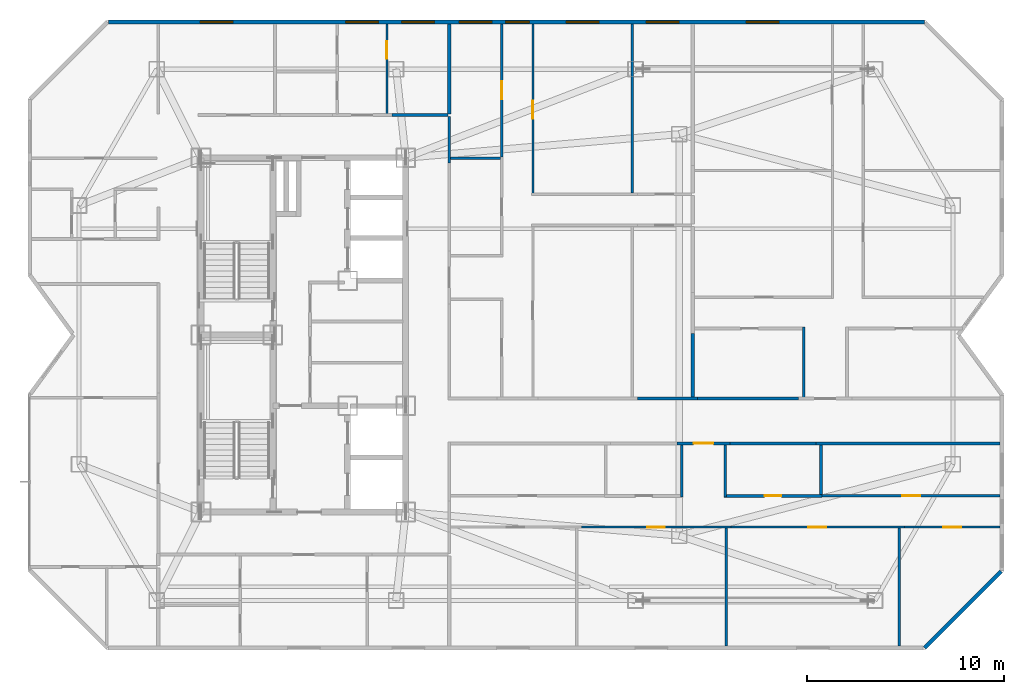
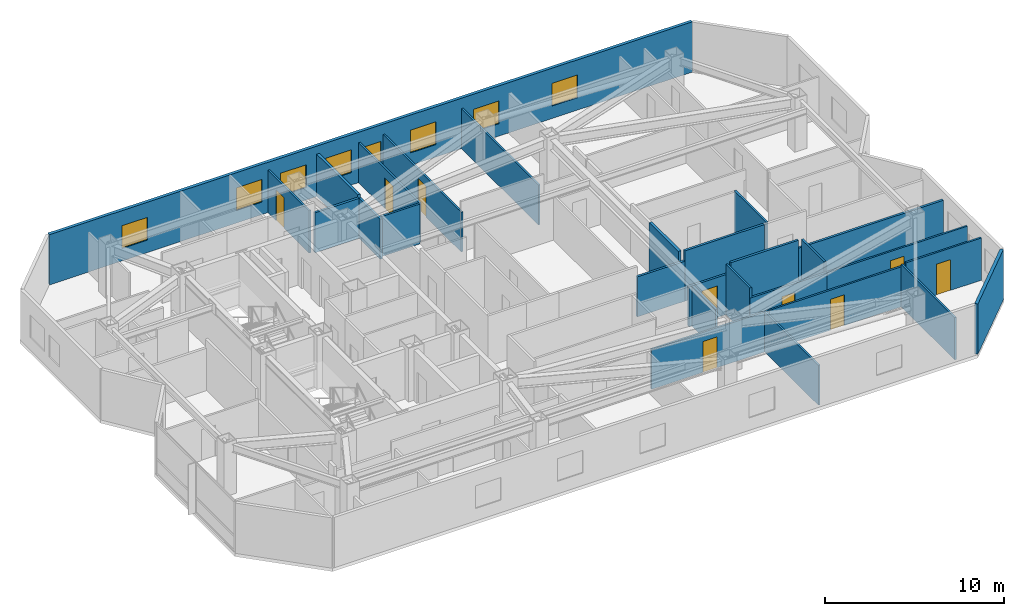
# One storey, part 11 of 14: 27 walls, 9 doors, 8 windows, 17 openings.
"""IFC4 building model written with IfcOpenShell, lengths in metres."""

from ifc_helpers import new_model, si_unit, direction, frame, frame_2d, origin, place, context, subcontext, project, spatial, rectangle, extrude, material, layer, layer_set, type_object, element, fill, save


model = new_model("IFC4")

# Units and contexts
model_context = context("Model", 3, precision=1e-05, world=origin(), true_north=direction((0.0, 1.0)))
body_context = subcontext(model_context, "Body", "Model", "MODEL_VIEW")
ifc_project = project(units=[si_unit("LENGTHUNIT", "METRE"), si_unit("AREAUNIT", "SQUARE_METRE"), si_unit("VOLUMEUNIT", "CUBIC_METRE"), si_unit("PLANEANGLEUNIT", "RADIAN"), si_unit("MASSUNIT", "GRAM", prefix="KILO")], contexts=[model_context])

# Site, building, storey
site_placement = place(None, origin())
site = spatial("IfcSite", under=ifc_project, at=site_placement, CompositionType="ELEMENT")
building_placement = place(site_placement, origin())
building = spatial("IfcBuilding", under=site, at=building_placement, Name="Khamvora Tower", CompositionType="ELEMENT")
storey_placement = place(building_placement, frame((0.0, 0.0, 253.699951171875)))
storey = spatial("IfcBuildingStorey", under=building, at=storey_placement, Name="L65", CompositionType="ELEMENT", Elevation=253.699951171875)

# Walls
ifc_material_1 = material(Name="Fire-Rated Drywall and Steel Stud", Category="steel")
ifc_layer_1 = layer(ifc_material_1, 0.14990234375)
ifc_layer_set_1 = layer_set([ifc_layer_1], Name="Fire-Rated Drywall and Steel Stud")
wall_type_1 = type_object("IfcWallType", Name="WAL-CORR-150", PredefinedType="STANDARD", material=ifc_layer_set_1)
wall_1_placement = place(storey_placement, frame((38.698974609375, 39.1650390625, 0.0), z_axis=(0.0, 0.0, 1.0), x_axis=(1.0, 0.0, 0.0)))
element("IfcWall", 1, at=wall_1_placement, inside=storey, type_object=wall_type_1, Name="L65 interior partition wall 019", PredefinedType="STANDARD", context=body_context, shape_type="SweptSolid", body=[
    extrude(rectangle(XDim=2.85107421875, YDim=0.14990234375, at=frame_2d((1.425537109375, 0.0))), origin(), (0.0, 0.0, 1.0), 2.72509765625),
])
wall_2_placement = place(storey_placement, frame((69.60791015625, 22.485107421875, 0.0), z_axis=(0.0, 0.0, 1.0), x_axis=(-1.0, 0.0, 0.0)))
element("IfcWall", 2, at=wall_2_placement, inside=storey, type_object=wall_type_1, Name="L65 interior partition wall 022", PredefinedType="STANDARD", context=body_context, shape_type="SweptSolid", body=[
    extrude(rectangle(XDim=9.35693359375, YDim=0.14990234375, at=frame_2d((4.678466796875, 0.0))), origin(), (0.0, 0.0, 1.0), 2.886962890625),
])

# Wall, opening, door
wall_3_placement = place(storey_placement, frame((55.884033203125, 22.485107421875, 0.0), z_axis=(0.0, 0.0, 1.0), x_axis=(-1.0, 0.0, 0.0)))
wall_3 = element("IfcWall", 3, at=wall_3_placement, inside=storey, type_object=wall_type_1, Name="L65 interior partition wall 023", PredefinedType="STANDARD", context=body_context, shape_type="SweptSolid", body=[
    extrude(rectangle(XDim=2.697998046875, YDim=0.14990234375, at=frame_2d((1.34912109375, 0.0))), origin(), (0.0, 0.0, 1.0), 2.72509765625),
])
opening_1_placement = place(wall_3_placement, frame((0.84912109375, 0.0, 0.0)))
opening_1 = element("IfcOpeningElement", 4, at=opening_1_placement, cuts=wall_3, Name="Opening D-U1", PredefinedType="OPENING", context=body_context, shape_type="SweptSolid", body=[
    extrude(rectangle(XDim=1.0, YDim=2.14990234375, at=frame_2d((0.5, 1.074951171875))), frame((0.0, 0.0849609375, 0.0), z_axis=(0.0, -1.0, 0.0), x_axis=(1.0, 0.0, 0.0)), (0.0, 0.0, 1.0), 0.169921875),
])
ifc_material_2 = material(Name="Powder-Coated Steel and Hardwood Leaf", Category="steel")
door_type_1 = type_object("IfcDoorType", Name="DOR-UNIT-1000", OperationType="NOTDEFINED", PredefinedType="DOOR", material=ifc_material_2)
door_1_placement = place(opening_1_placement, origin())
door_1 = element("IfcDoor", 5, at=door_1_placement, inside=storey, type_object=door_type_1, Name="L65 interior door COR-65EAH", OperationType="SINGLE_SWING_RIGHT", OverallHeight=2.14990234375, OverallWidth=1.0, PredefinedType="DOOR", context=body_context, shape_type="SweptSolid", body=[
    extrude(rectangle(XDim=1.0, YDim=2.14990234375, at=frame_2d((0.5, 1.074951171875))), frame((0.0, 0.02490234375, 0.0), z_axis=(0.0, -1.0, 0.0), x_axis=(1.0, 0.0, 0.0)), (0.0, 0.0, 1.0), 0.050048828125),
])
fill(opening_1, door_1)

# Walls
wall_4_placement = place(storey_placement, frame((60.2509765625, 22.485107421875, 0.0), z_axis=(0.0, 0.0, 1.0), x_axis=(-1.0, 0.0, 0.0)))
element("IfcWall", 6, at=wall_4_placement, inside=storey, type_object=wall_type_1, Name="L65 interior partition wall 026", PredefinedType="STANDARD", context=body_context, shape_type="SweptSolid", body=[
    extrude(rectangle(XDim=4.366943359375, YDim=0.14990234375, at=frame_2d((2.18359375, 0.0))), origin(), (0.0, 0.0, 1.0), 3.429931640625),
])
wall_5_placement = place(storey_placement, frame((41.614990234375, 39.10009765625, 0.0), z_axis=(0.0, 0.0, 1.0), x_axis=(0.0, -1.0, 0.0)))
element("IfcWall", 7, at=wall_5_placement, inside=storey, type_object=wall_type_1, Name="L65 interior partition wall 028", PredefinedType="STANDARD", context=body_context, shape_type="SweptSolid", body=[
    extrude(rectangle(XDim=2.3681640625, YDim=0.14990234375, at=frame_2d((1.18408203125, 0.0))), origin(), (0.0, 0.0, 1.0), 2.72509765625),
])
wall_6_placement = place(storey_placement, frame((51.1669921875, 24.764892578125, 0.0), z_axis=(0.0, 0.0, 1.0), x_axis=(1.0, 0.0, 0.0)))
element("IfcWall", 8, at=wall_6_placement, inside=storey, type_object=wall_type_1, Name="L65 interior partition wall 035", PredefinedType="STANDARD", context=body_context, shape_type="SweptSolid", body=[
    extrude(rectangle(XDim=3.06689453125, YDim=0.14990234375, at=frame_2d((1.533447265625, 0.0))), origin(), (0.0, 0.0, 1.0), 2.72509765625),
])
wall_7_placement = place(storey_placement, frame((54.23388671875, 24.764892578125, 0.0), z_axis=(0.0, 0.0, 1.0), x_axis=(1.0, 0.0, 0.0)))
element("IfcWall", 9, at=wall_7_placement, inside=storey, type_object=wall_type_1, Name="L65 interior partition wall 037", PredefinedType="STANDARD", context=body_context, shape_type="SweptSolid", body=[
    extrude(rectangle(XDim=5.13720703125, YDim=0.14990234375, at=frame_2d((2.568603515625, 0.0))), origin(), (0.0, 0.0, 1.0), 3.429931640625),
])
ifc_material_3 = material(Name="Acoustic Double-Stud Fire Wall", Category="gypsum")
ifc_layer_2 = layer(ifc_material_3, 0.179931640625)
ifc_layer_set_2 = layer_set([ifc_layer_2], Name="Acoustic Double-Stud Fire Wall")
wall_type_2 = type_object("IfcWallType", Name="WAL-CORR-180", PredefinedType="STANDARD", material=ifc_layer_set_2)
wall_8_placement = place(storey_placement, frame((41.614990234375, 43.80810546875, 0.0), z_axis=(0.0, 0.0, 1.0), x_axis=(0.0, -1.0, 0.0)))
element("IfcWall", 10, at=wall_8_placement, inside=storey, type_object=wall_type_2, Name="L65 interior partition wall 063", PredefinedType="STANDARD", context=body_context, shape_type="SweptSolid", body=[
    extrude(rectangle(XDim=4.578125, YDim=0.179931640625, at=frame_2d((2.2890625, 0.0))), origin(), (0.0, 0.0, 1.0), 2.886962890625),
])
wall_9_placement = place(storey_placement, frame((53.985107421875, 28.076904296875, 0.0), z_axis=(0.0, 0.0, 1.0), x_axis=(0.0, -1.0, 0.0)))
element("IfcWall", 11, at=wall_9_placement, inside=storey, type_object=wall_type_2, Name="L65 interior partition wall 094", PredefinedType="STANDARD", context=body_context, shape_type="SweptSolid", body=[
    extrude(rectangle(XDim=3.244873046875, YDim=0.179931640625, at=frame_2d((1.62255859375, 0.0))), origin(), (0.0, 0.0, 1.0), 3.429931640625),
])

# Wall, openings, windows
ifc_material_4 = material(Name="Precast concrete C40/50", Category="concrete")
ifc_layer_3 = layer(ifc_material_4, 0.199951171875)
ifc_layer_set_3 = layer_set([ifc_layer_3], Name="Precast concrete C40/50")
wall_type_3 = type_object("IfcWallType", Name="WAL-EXT-200", PredefinedType="STANDARD", material=ifc_layer_set_3)
wall_10_placement = place(storey_placement, frame((24.302001953125, 43.89990234375, 0.0), z_axis=(0.0, 0.0, 1.0), x_axis=(1.0, 0.0, 0.0)))
wall_10 = element("IfcWall", 12, at=wall_10_placement, inside=storey, type_object=wall_type_3, Name="L65 exterior facade wall 07.1", PredefinedType="STANDARD", context=body_context, shape_type="SweptSolid", body=[
    extrude(rectangle(XDim=41.45703125, YDim=0.199951171875, at=frame_2d((20.728515625, 0.0))), origin(), (0.0, 0.0, 1.0), 3.429931640625),
])
opening_2_placement = place(wall_10_placement, frame((4.673095703125, 0.0, 0.85009765625)))
opening_2 = element("IfcOpeningElement", 13, at=opening_2_placement, cuts=wall_10, Name="Opening WN-06", PredefinedType="OPENING", context=body_context, shape_type="SweptSolid", body=[
    extrude(rectangle(XDim=1.64990234375, YDim=1.550048828125, at=frame_2d((0.824951171875, 0.77490234375))), frame((0.0, 0.10986328125, 0.0), z_axis=(0.0, -1.0, 0.0), x_axis=(1.0, 0.0, 0.0)), (0.0, 0.0, 1.0), 0.219970703125),
])
opening_3_placement = place(wall_10_placement, frame((12.06298828125, 0.0, 0.85009765625)))
opening_3 = element("IfcOpeningElement", 14, at=opening_3_placement, cuts=wall_10, Name="Opening WN-06", PredefinedType="OPENING", context=body_context, shape_type="SweptSolid", body=[
    extrude(rectangle(XDim=1.64990234375, YDim=1.550048828125, at=frame_2d((0.824951171875, 0.77490234375))), frame((0.0, 0.10986328125, 0.0), z_axis=(0.0, -1.0, 0.0), x_axis=(1.0, 0.0, 0.0)), (0.0, 0.0, 1.0), 0.219970703125),
])
opening_4_placement = place(wall_10_placement, frame((14.905029296875, 0.0, 0.85009765625)))
opening_4 = element("IfcOpeningElement", 15, at=opening_4_placement, cuts=wall_10, Name="Opening WN-06", PredefinedType="OPENING", context=body_context, shape_type="SweptSolid", body=[
    extrude(rectangle(XDim=1.64990234375, YDim=1.550048828125, at=frame_2d((0.824951171875, 0.77490234375))), frame((0.0, 0.10986328125, 0.0), z_axis=(0.0, -1.0, 0.0), x_axis=(1.0, 0.0, 0.0)), (0.0, 0.0, 1.0), 0.219970703125),
])
opening_5_placement = place(wall_10_placement, frame((17.824951171875, 0.0, 0.85009765625)))
opening_5 = element("IfcOpeningElement", 16, at=opening_5_placement, cuts=wall_10, Name="Opening WN-06", PredefinedType="OPENING", context=body_context, shape_type="SweptSolid", body=[
    extrude(rectangle(XDim=1.64990234375, YDim=1.550048828125, at=frame_2d((0.824951171875, 0.77490234375))), frame((0.0, 0.10986328125, 0.0), z_axis=(0.0, -1.0, 0.0), x_axis=(1.0, 0.0, 0.0)), (0.0, 0.0, 1.0), 0.219970703125),
])
opening_6_placement = place(wall_10_placement, frame((20.176025390625, 0.0, 0.800048828125)))
opening_6 = element("IfcOpeningElement", 17, at=opening_6_placement, cuts=wall_10, Name="Opening WN-03", PredefinedType="OPENING", context=body_context, shape_type="SweptSolid", body=[
    extrude(rectangle(XDim=1.199951171875, YDim=1.5, at=frame_2d((0.60009765625, 0.75))), frame((0.0, 0.10986328125, 0.0), z_axis=(0.0, -1.0, 0.0), x_axis=(1.0, 0.0, 0.0)), (0.0, 0.0, 1.0), 0.219970703125),
])
opening_7_placement = place(wall_10_placement, frame((23.26611328125, 0.0, 0.85009765625)))
opening_7 = element("IfcOpeningElement", 18, at=opening_7_placement, cuts=wall_10, Name="Opening WN-06", PredefinedType="OPENING", context=body_context, shape_type="SweptSolid", body=[
    extrude(rectangle(XDim=1.64990234375, YDim=1.550048828125, at=frame_2d((0.824951171875, 0.77490234375))), frame((0.0, 0.10986328125, 0.0), z_axis=(0.0, -1.0, 0.0), x_axis=(1.0, 0.0, 0.0)), (0.0, 0.0, 1.0), 0.219970703125),
])
opening_8_placement = place(wall_10_placement, frame((27.323974609375, 0.0, 0.85009765625)))
opening_8 = element("IfcOpeningElement", 19, at=opening_8_placement, cuts=wall_10, Name="Opening WN-06", PredefinedType="OPENING", context=body_context, shape_type="SweptSolid", body=[
    extrude(rectangle(XDim=1.64990234375, YDim=1.550048828125, at=frame_2d((0.824951171875, 0.77490234375))), frame((0.0, 0.10986328125, 0.0), z_axis=(0.0, -1.0, 0.0), x_axis=(1.0, 0.0, 0.0)), (0.0, 0.0, 1.0), 0.219970703125),
])
opening_9_placement = place(wall_10_placement, frame((32.407958984375, 0.0, 0.85009765625)))
opening_9 = element("IfcOpeningElement", 20, at=opening_9_placement, cuts=wall_10, Name="Opening WN-06", PredefinedType="OPENING", context=body_context, shape_type="SweptSolid", body=[
    extrude(rectangle(XDim=1.64990234375, YDim=1.550048828125, at=frame_2d((0.824951171875, 0.77490234375))), frame((0.0, 0.10986328125, 0.0), z_axis=(0.0, -1.0, 0.0), x_axis=(1.0, 0.0, 0.0)), (0.0, 0.0, 1.0), 0.219970703125),
])
ifc_material_5 = material(Name="Low-E Laminated Double Glazing", Category="glass")
window_type_1 = type_object("IfcWindowType", Name="WIN-VIS-1200x1500", PartitioningType="SINGLE_PANEL", PredefinedType="WINDOW", material=ifc_material_5)
window_1_placement = place(opening_6_placement, origin())
window_1 = element("IfcWindow", 21, at=window_1_placement, inside=storey, type_object=window_type_1, Name="L65 vision window 07.1.05", OverallHeight=1.5, OverallWidth=1.199951171875, PartitioningType="SINGLE_PANEL", PredefinedType="WINDOW", context=body_context, shape_type="SweptSolid", body=[
    extrude(rectangle(XDim=1.199951171875, YDim=1.5, at=frame_2d((0.60009765625, 0.75))), frame((0.0, 0.030029296875, 0.0), z_axis=(0.0, -1.0, 0.0), x_axis=(1.0, 0.0, 0.0)), (0.0, 0.0, 1.0), 0.06005859375),
])
fill(opening_6, window_1)
window_type_2 = type_object("IfcWindowType", Name="WIN-VIS-1650x1550", PartitioningType="SINGLE_PANEL", PredefinedType="WINDOW", material=ifc_material_5)
window_2_placement = place(opening_2_placement, origin())
window_2 = element("IfcWindow", 22, at=window_2_placement, inside=storey, type_object=window_type_2, Name="L65 vision window 07.1.01", OverallHeight=1.550048828125, OverallWidth=1.64990234375, PartitioningType="SINGLE_PANEL", PredefinedType="WINDOW", context=body_context, shape_type="SweptSolid", body=[
    extrude(rectangle(XDim=1.64990234375, YDim=1.550048828125, at=frame_2d((0.824951171875, 0.77490234375))), frame((0.0, 0.030029296875, 0.0), z_axis=(0.0, -1.0, 0.0), x_axis=(1.0, 0.0, 0.0)), (0.0, 0.0, 1.0), 0.06005859375),
])
fill(opening_2, window_2)
window_3_placement = place(opening_3_placement, origin())
window_3 = element("IfcWindow", 23, at=window_3_placement, inside=storey, type_object=window_type_2, Name="L65 vision window 07.1.02", OverallHeight=1.550048828125, OverallWidth=1.64990234375, PartitioningType="SINGLE_PANEL", PredefinedType="WINDOW", context=body_context, shape_type="SweptSolid", body=[
    extrude(rectangle(XDim=1.64990234375, YDim=1.550048828125, at=frame_2d((0.824951171875, 0.77490234375))), frame((0.0, 0.030029296875, 0.0), z_axis=(0.0, -1.0, 0.0), x_axis=(1.0, 0.0, 0.0)), (0.0, 0.0, 1.0), 0.06005859375),
])
fill(opening_3, window_3)
window_4_placement = place(opening_4_placement, origin())
window_4 = element("IfcWindow", 24, at=window_4_placement, inside=storey, type_object=window_type_2, Name="L65 vision window 07.1.03", OverallHeight=1.550048828125, OverallWidth=1.64990234375, PartitioningType="SINGLE_PANEL", PredefinedType="WINDOW", context=body_context, shape_type="SweptSolid", body=[
    extrude(rectangle(XDim=1.64990234375, YDim=1.550048828125, at=frame_2d((0.824951171875, 0.77490234375))), frame((0.0, 0.030029296875, 0.0), z_axis=(0.0, -1.0, 0.0), x_axis=(1.0, 0.0, 0.0)), (0.0, 0.0, 1.0), 0.06005859375),
])
fill(opening_4, window_4)
window_5_placement = place(opening_5_placement, origin())
window_5 = element("IfcWindow", 25, at=window_5_placement, inside=storey, type_object=window_type_2, Name="L65 vision window 07.1.04", OverallHeight=1.550048828125, OverallWidth=1.64990234375, PartitioningType="SINGLE_PANEL", PredefinedType="WINDOW", context=body_context, shape_type="SweptSolid", body=[
    extrude(rectangle(XDim=1.64990234375, YDim=1.550048828125, at=frame_2d((0.824951171875, 0.77490234375))), frame((0.0, 0.030029296875, 0.0), z_axis=(0.0, -1.0, 0.0), x_axis=(1.0, 0.0, 0.0)), (0.0, 0.0, 1.0), 0.06005859375),
])
fill(opening_5, window_5)
window_6_placement = place(opening_7_placement, origin())
window_6 = element("IfcWindow", 26, at=window_6_placement, inside=storey, type_object=window_type_2, Name="L65 vision window 07.1.06", OverallHeight=1.550048828125, OverallWidth=1.64990234375, PartitioningType="SINGLE_PANEL", PredefinedType="WINDOW", context=body_context, shape_type="SweptSolid", body=[
    extrude(rectangle(XDim=1.64990234375, YDim=1.550048828125, at=frame_2d((0.824951171875, 0.77490234375))), frame((0.0, 0.030029296875, 0.0), z_axis=(0.0, -1.0, 0.0), x_axis=(1.0, 0.0, 0.0)), (0.0, 0.0, 1.0), 0.06005859375),
])
fill(opening_7, window_6)
window_7_placement = place(opening_8_placement, origin())
window_7 = element("IfcWindow", 27, at=window_7_placement, inside=storey, type_object=window_type_2, Name="L65 vision window 07.1.07", OverallHeight=1.550048828125, OverallWidth=1.64990234375, PartitioningType="SINGLE_PANEL", PredefinedType="WINDOW", context=body_context, shape_type="SweptSolid", body=[
    extrude(rectangle(XDim=1.64990234375, YDim=1.550048828125, at=frame_2d((0.824951171875, 0.77490234375))), frame((0.0, 0.030029296875, 0.0), z_axis=(0.0, -1.0, 0.0), x_axis=(1.0, 0.0, 0.0)), (0.0, 0.0, 1.0), 0.06005859375),
])
fill(opening_8, window_7)
window_8_placement = place(opening_9_placement, origin())
window_8 = element("IfcWindow", 28, at=window_8_placement, inside=storey, type_object=window_type_2, Name="L65 vision window 07.1.08", OverallHeight=1.550048828125, OverallWidth=1.64990234375, PartitioningType="SINGLE_PANEL", PredefinedType="WINDOW", context=body_context, shape_type="SweptSolid", body=[
    extrude(rectangle(XDim=1.64990234375, YDim=1.550048828125, at=frame_2d((0.824951171875, 0.77490234375))), frame((0.0, 0.030029296875, 0.0), z_axis=(0.0, -1.0, 0.0), x_axis=(1.0, 0.0, 0.0)), (0.0, 0.0, 1.0), 0.06005859375),
])
fill(opening_9, window_8)

# Wall
wall_11_placement = place(storey_placement, frame((69.655029296875, 15.99609375, 0.0), z_axis=(0.0, 0.0, 1.0), x_axis=(-0.707106781187, -0.707106781187, 0.0)))
element("IfcWall", 29, at=wall_11_placement, inside=storey, type_object=wall_type_3, Name="L65 exterior facade wall 13.1", PredefinedType="STANDARD", context=body_context, shape_type="SweptSolid", body=[
    extrude(rectangle(XDim=5.509765625, YDim=0.199951171875, at=frame_2d((2.7548828125, 0.0))), origin(), (0.0, 0.0, 1.0), 3.429931640625),
])

# Wall, opening, door
ifc_material_6 = material(Name="Gypsum Plasterboard Partition", Category="gypsum")
ifc_layer_4 = layer(ifc_material_6, 0.1201171875)
ifc_layer_set_4 = layer_set([ifc_layer_4], Name="Gypsum Plasterboard Partition")
wall_type_4 = type_object("IfcWallType", Name="WAL-PART-120", PredefinedType="PARTITIONING", material=ifc_layer_set_4)
wall_12_placement = place(storey_placement, frame((38.449951171875, 43.80810546875, 0.0), z_axis=(0.0, 0.0, 1.0), x_axis=(0.0, -1.0, 0.0)))
wall_12 = element("IfcWall", 30, at=wall_12_placement, inside=storey, type_object=wall_type_4, Name="L65 interior partition wall 061", PredefinedType="PARTITIONING", context=body_context, shape_type="SweptSolid", body=[
    extrude(rectangle(XDim=4.576171875, YDim=0.1201171875, at=frame_2d((2.2880859375, 0.0))), origin(), (0.0, 0.0, 1.0), 2.886962890625),
])
opening_10_placement = place(wall_12_placement, frame((0.884033203125, 0.0, 0.0)))
opening_10 = element("IfcOpeningElement", 31, at=opening_10_placement, cuts=wall_12, Name="Opening D-RM1", PredefinedType="OPENING", context=body_context, shape_type="SweptSolid", body=[
    extrude(rectangle(XDim=0.89990234375, YDim=2.10009765625, at=frame_2d((0.449951171875, 1.050048828125))), frame((0.0, 0.070068359375, 0.0), z_axis=(0.0, -1.0, 0.0), x_axis=(1.0, 0.0, 0.0)), (0.0, 0.0, 1.0), 0.14013671875),
])
door_type_2 = type_object("IfcDoorType", Name="DOR-ROOM-900", OperationType="NOTDEFINED", PredefinedType="DOOR", material=ifc_material_2)
door_2_placement = place(opening_10_placement, origin())
door_2 = element("IfcDoor", 32, at=door_2_placement, inside=storey, type_object=door_type_2, Name="L65 interior door 65NAH-65NAR1", OperationType="SINGLE_SWING_LEFT", OverallHeight=2.10009765625, OverallWidth=0.89990234375, PredefinedType="DOOR", context=body_context, shape_type="SweptSolid", body=[
    extrude(rectangle(XDim=0.89990234375, YDim=2.10009765625, at=frame_2d((0.449951171875, 1.050048828125))), frame((0.0, 0.02490234375, 0.0), z_axis=(0.0, -1.0, 0.0), x_axis=(1.0, 0.0, 0.0)), (0.0, 0.0, 1.0), 0.050048828125),
])
fill(opening_10, door_2)

wall_13_placement = place(storey_placement, frame((69.60791015625, 19.819091796875, 0.0), z_axis=(0.0, 0.0, 1.0), x_axis=(-1.0, 0.0, 0.0)))
wall_13 = element("IfcWall", 33, at=wall_13_placement, inside=storey, type_object=wall_type_4, Name="L65 interior partition wall 066", PredefinedType="PARTITIONING", context=body_context, shape_type="SweptSolid", body=[
    extrude(rectangle(XDim=9.04296875, YDim=0.1201171875, at=frame_2d((4.521484375, 0.0))), origin(), (0.0, 0.0, 1.0), 2.72509765625),
])
opening_11_placement = place(wall_13_placement, frame((4.071044921875, 0.0, 0.0)))
opening_11 = element("IfcOpeningElement", 34, at=opening_11_placement, cuts=wall_13, Name="Opening D-RM1", PredefinedType="OPENING", context=body_context, shape_type="SweptSolid", body=[
    extrude(rectangle(XDim=0.89990234375, YDim=2.10009765625, at=frame_2d((0.449951171875, 1.050048828125))), frame((0.0, 0.070068359375, 0.0), z_axis=(0.0, -1.0, 0.0), x_axis=(1.0, 0.0, 0.0)), (0.0, 0.0, 1.0), 0.14013671875),
])
door_3_placement = place(opening_11_placement, origin())
door_3 = element("IfcDoor", 35, at=door_3_placement, inside=storey, type_object=door_type_2, Name="L65 interior door 65EAW2-65EAH", OperationType="SINGLE_SWING_LEFT", OverallHeight=2.10009765625, OverallWidth=0.89990234375, PredefinedType="DOOR", context=body_context, shape_type="SweptSolid", body=[
    extrude(rectangle(XDim=0.89990234375, YDim=2.10009765625, at=frame_2d((0.449951171875, 1.050048828125))), frame((0.0, 0.02490234375, 0.0), z_axis=(0.0, -1.0, 0.0), x_axis=(1.0, 0.0, 0.0)), (0.0, 0.0, 1.0), 0.050048828125),
])
fill(opening_11, door_3)

wall_14_placement = place(storey_placement, frame((55.93408203125, 18.239013671875, 0.0), z_axis=(0.0, 0.0, 1.0), x_axis=(-1.0, 0.0, 0.0)))
wall_14 = element("IfcWall", 36, at=wall_14_placement, inside=storey, type_object=wall_type_4, Name="L65 interior partition wall 073", PredefinedType="PARTITIONING", context=body_context, shape_type="SweptSolid", body=[
    extrude(rectangle(XDim=7.60107421875, YDim=0.1201171875, at=frame_2d((3.800537109375, 0.0))), origin(), (0.0, 0.0, 1.0), 2.72509765625),
])
opening_12_placement = place(wall_14_placement, frame((3.37109375, 0.0, 0.0)))
opening_12 = element("IfcOpeningElement", 37, at=opening_12_placement, cuts=wall_14, Name="Opening D-RM1", PredefinedType="OPENING", context=body_context, shape_type="SweptSolid", body=[
    extrude(rectangle(XDim=0.89990234375, YDim=2.10009765625, at=frame_2d((0.449951171875, 1.050048828125))), frame((0.0, 0.070068359375, 0.0), z_axis=(0.0, -1.0, 0.0), x_axis=(1.0, 0.0, 0.0)), (0.0, 0.0, 1.0), 0.14013671875),
])
door_4_placement = place(opening_12_placement, origin())
door_4 = element("IfcDoor", 38, at=door_4_placement, inside=storey, type_object=door_type_2, Name="L65 interior door 65EAH-65EAR2", OperationType="SINGLE_SWING_RIGHT", OverallHeight=2.10009765625, OverallWidth=0.89990234375, PredefinedType="DOOR", context=body_context, shape_type="SweptSolid", body=[
    extrude(rectangle(XDim=0.89990234375, YDim=2.10009765625, at=frame_2d((0.449951171875, 1.050048828125))), frame((0.0, 0.02490234375, 0.0), z_axis=(0.0, -1.0, 0.0), x_axis=(1.0, 0.0, 0.0)), (0.0, 0.0, 1.0), 0.050048828125),
])
fill(opening_12, door_4)

wall_15_placement = place(storey_placement, frame((64.73291015625, 18.239013671875, 0.0), z_axis=(0.0, 0.0, 1.0), x_axis=(-1.0, 0.0, 0.0)))
wall_15 = element("IfcWall", 39, at=wall_15_placement, inside=storey, type_object=wall_type_4, Name="L65 interior partition wall 074", PredefinedType="PARTITIONING", context=body_context, shape_type="SweptSolid", body=[
    extrude(rectangle(XDim=8.798828125, YDim=0.1201171875, at=frame_2d((4.3994140625, 0.0))), origin(), (0.0, 0.0, 1.0), 2.72509765625),
])
opening_13_placement = place(wall_15_placement, frame((3.969970703125, 0.0, 0.0)))
opening_13 = element("IfcOpeningElement", 40, at=opening_13_placement, cuts=wall_15, Name="Opening D-RM1", PredefinedType="OPENING", context=body_context, shape_type="SweptSolid", body=[
    extrude(rectangle(XDim=0.89990234375, YDim=2.10009765625, at=frame_2d((0.449951171875, 1.050048828125))), frame((0.0, 0.070068359375, 0.0), z_axis=(0.0, -1.0, 0.0), x_axis=(1.0, 0.0, 0.0)), (0.0, 0.0, 1.0), 0.14013671875),
])
door_5_placement = place(opening_13_placement, origin())
door_5 = element("IfcDoor", 41, at=door_5_placement, inside=storey, type_object=door_type_2, Name="L65 interior door 65EAH-65EAR3", OperationType="SINGLE_SWING_RIGHT", OverallHeight=2.10009765625, OverallWidth=0.89990234375, PredefinedType="DOOR", context=body_context, shape_type="SweptSolid", body=[
    extrude(rectangle(XDim=0.89990234375, YDim=2.10009765625, at=frame_2d((0.449951171875, 1.050048828125))), frame((0.0, 0.02490234375, 0.0), z_axis=(0.0, -1.0, 0.0), x_axis=(1.0, 0.0, 0.0)), (0.0, 0.0, 1.0), 0.050048828125),
])
fill(opening_13, door_5)

wall_16_placement = place(storey_placement, frame((69.60791015625, 18.239013671875, 0.0), z_axis=(0.0, 0.0, 1.0), x_axis=(-1.0, 0.0, 0.0)))
wall_16 = element("IfcWall", 42, at=wall_16_placement, inside=storey, type_object=wall_type_4, Name="L65 interior partition wall 075", PredefinedType="PARTITIONING", context=body_context, shape_type="SweptSolid", body=[
    extrude(rectangle(XDim=4.875, YDim=0.1201171875, at=frame_2d((2.4375, 0.0))), origin(), (0.0, 0.0, 1.0), 2.886962890625),
])
opening_14_placement = place(wall_16_placement, frame((1.988037109375, 0.0, 0.0)))
opening_14 = element("IfcOpeningElement", 43, at=opening_14_placement, cuts=wall_16, Name="Opening D-RM1", PredefinedType="OPENING", context=body_context, shape_type="SweptSolid", body=[
    extrude(rectangle(XDim=0.89990234375, YDim=2.10009765625, at=frame_2d((0.449951171875, 1.050048828125))), frame((0.0, 0.070068359375, 0.0), z_axis=(0.0, -1.0, 0.0), x_axis=(1.0, 0.0, 0.0)), (0.0, 0.0, 1.0), 0.14013671875),
])
door_6_placement = place(opening_14_placement, origin())
door_6 = element("IfcDoor", 44, at=door_6_placement, inside=storey, type_object=door_type_2, Name="L65 interior door 65EAH-65EAR4", OperationType="SINGLE_SWING_LEFT", OverallHeight=2.10009765625, OverallWidth=0.89990234375, PredefinedType="DOOR", context=body_context, shape_type="SweptSolid", body=[
    extrude(rectangle(XDim=0.89990234375, YDim=2.10009765625, at=frame_2d((0.449951171875, 1.050048828125))), frame((0.0, 0.02490234375, 0.0), z_axis=(0.0, -1.0, 0.0), x_axis=(1.0, 0.0, 0.0)), (0.0, 0.0, 1.0), 0.050048828125),
])
fill(opening_14, door_6)

# Walls
wall_17_placement = place(storey_placement, frame((55.68505859375, 18.18505859375, 0.0), z_axis=(0.0, 0.0, 1.0), x_axis=(0.0, -1.0, 0.0)))
element("IfcWall", 45, at=wall_17_placement, inside=storey, type_object=wall_type_4, Name="L65 interior partition wall 077", PredefinedType="PARTITIONING", context=body_context, shape_type="SweptSolid", body=[
    extrude(rectangle(XDim=5.9931640625, YDim=0.1201171875, at=frame_2d((2.99658203125, 0.0))), origin(), (0.0, 0.0, 1.0), 2.72509765625),
])
wall_18_placement = place(storey_placement, frame((64.48388671875, 18.18505859375, 0.0), z_axis=(0.0, 0.0, 1.0), x_axis=(0.0, -1.0, 0.0)))
element("IfcWall", 46, at=wall_18_placement, inside=storey, type_object=wall_type_4, Name="L65 interior partition wall 078", PredefinedType="PARTITIONING", context=body_context, shape_type="SweptSolid", body=[
    extrude(rectangle(XDim=5.9931640625, YDim=0.1201171875, at=frame_2d((2.99658203125, 0.0))), origin(), (0.0, 0.0, 1.0), 2.886962890625),
])

# Wall, opening, door
wall_19_placement = place(storey_placement, frame((44.2880859375, 43.80810546875, 0.0), z_axis=(0.0, 0.0, 1.0), x_axis=(0.0, -1.0, 0.0)))
wall_19 = element("IfcWall", 47, at=wall_19_placement, inside=storey, type_object=wall_type_4, Name="L65 interior partition wall 079", PredefinedType="PARTITIONING", context=body_context, shape_type="SweptSolid", body=[
    extrude(rectangle(XDim=6.76220703125, YDim=0.1201171875, at=frame_2d((3.381103515625, 0.0))), origin(), (0.0, 0.0, 1.0), 2.72509765625),
])
opening_15_placement = place(wall_19_placement, frame((2.930908203125, 0.0, 0.0)))
opening_15 = element("IfcOpeningElement", 48, at=opening_15_placement, cuts=wall_19, Name="Opening D-RM1", PredefinedType="OPENING", context=body_context, shape_type="SweptSolid", body=[
    extrude(rectangle(XDim=0.89990234375, YDim=2.10009765625, at=frame_2d((0.449951171875, 1.050048828125))), frame((0.0, 0.070068359375, 0.0), z_axis=(0.0, -1.0, 0.0), x_axis=(1.0, 0.0, 0.0)), (0.0, 0.0, 1.0), 0.14013671875),
])
door_7_placement = place(opening_15_placement, origin())
door_7 = element("IfcDoor", 49, at=door_7_placement, inside=storey, type_object=door_type_2, Name="L65 interior door 65EBW2-65EBH", OperationType="SINGLE_SWING_RIGHT", OverallHeight=2.10009765625, OverallWidth=0.89990234375, PredefinedType="DOOR", context=body_context, shape_type="SweptSolid", body=[
    extrude(rectangle(XDim=0.89990234375, YDim=2.10009765625, at=frame_2d((0.449951171875, 1.050048828125))), frame((0.0, 0.02490234375, 0.0), z_axis=(0.0, -1.0, 0.0), x_axis=(1.0, 0.0, 0.0)), (0.0, 0.0, 1.0), 0.050048828125),
])
fill(opening_15, door_7)

wall_20_placement = place(storey_placement, frame((45.867919921875, 43.80810546875, 0.0), z_axis=(0.0, 0.0, 1.0), x_axis=(0.0, -1.0, 0.0)))
wall_20 = element("IfcWall", 50, at=wall_20_placement, inside=storey, type_object=wall_type_4, Name="L65 interior partition wall 088", PredefinedType="PARTITIONING", context=body_context, shape_type="SweptSolid", body=[
    extrude(rectangle(XDim=8.72802734375, YDim=0.1201171875, at=frame_2d((4.364013671875, 0.0))), origin(), (0.0, 0.0, 1.0), 2.72509765625),
])
opening_16_placement = place(wall_20_placement, frame((3.9140625, 0.0, 0.0)))
opening_16 = element("IfcOpeningElement", 51, at=opening_16_placement, cuts=wall_20, Name="Opening D-RM1", PredefinedType="OPENING", context=body_context, shape_type="SweptSolid", body=[
    extrude(rectangle(XDim=0.89990234375, YDim=2.10009765625, at=frame_2d((0.449951171875, 1.050048828125))), frame((0.0, 0.070068359375, 0.0), z_axis=(0.0, -1.0, 0.0), x_axis=(1.0, 0.0, 0.0)), (0.0, 0.0, 1.0), 0.14013671875),
])
door_8_placement = place(opening_16_placement, origin())
door_8 = element("IfcDoor", 52, at=door_8_placement, inside=storey, type_object=door_type_2, Name="L65 interior door 65EBH-65EBR3", OperationType="SINGLE_SWING_LEFT", OverallHeight=2.10009765625, OverallWidth=0.89990234375, PredefinedType="DOOR", context=body_context, shape_type="SweptSolid", body=[
    extrude(rectangle(XDim=0.89990234375, YDim=2.10009765625, at=frame_2d((0.449951171875, 1.050048828125))), frame((0.0, 0.02490234375, 0.0), z_axis=(0.0, -1.0, 0.0), x_axis=(1.0, 0.0, 0.0)), (0.0, 0.0, 1.0), 0.050048828125),
])
fill(opening_16, door_8)

# Walls
wall_21_placement = place(storey_placement, frame((50.9169921875, 43.80810546875, 0.0), z_axis=(0.0, 0.0, 1.0), x_axis=(0.0, -1.0, 0.0)))
element("IfcWall", 53, at=wall_21_placement, inside=storey, type_object=wall_type_4, Name="L65 interior partition wall 096", PredefinedType="PARTITIONING", context=body_context, shape_type="SweptSolid", body=[
    extrude(rectangle(XDim=8.609130859375, YDim=0.1201171875, at=frame_2d((4.3046875, 0.0))), origin(), (0.0, 0.0, 1.0), 2.72509765625),
])
ifc_material_7 = material(Name="Moisture-Resistant Plasterboard Partition", Category="gypsum")
ifc_layer_5 = layer(ifc_material_7, 0.135009765625)
ifc_layer_set_5 = layer_set([ifc_layer_5], Name="Moisture-Resistant Plasterboard Partition")
wall_type_5 = type_object("IfcWallType", Name="WAL-WET-135", PredefinedType="PARTITIONING", material=ifc_layer_set_5)
wall_22_placement = place(storey_placement, frame((60.5, 19.884033203125, 0.0), z_axis=(0.0, 0.0, 1.0), x_axis=(0.0, 1.0, 0.0)))
element("IfcWall", 54, at=wall_22_placement, inside=storey, type_object=wall_type_5, Name="L65 interior partition wall 067", PredefinedType="PARTITIONING", context=body_context, shape_type="SweptSolid", body=[
    extrude(rectangle(XDim=2.533935546875, YDim=0.135009765625, at=frame_2d((1.26708984375, 0.0))), origin(), (0.0, 0.0, 1.0), 3.429931640625),
])
wall_23_placement = place(storey_placement, frame((53.43505859375, 19.75390625, 0.0), z_axis=(0.0, 0.0, 1.0), x_axis=(0.0, 1.0, 0.0)))
element("IfcWall", 55, at=wall_23_placement, inside=storey, type_object=wall_type_5, Name="L65 interior partition wall 069", PredefinedType="PARTITIONING", context=body_context, shape_type="SweptSolid", body=[
    extrude(rectangle(XDim=2.6640625, YDim=0.135009765625, at=frame_2d((1.33203125, 0.0))), origin(), (0.0, 0.0, 1.0), 2.72509765625),
])
wall_24_placement = place(storey_placement, frame((55.635009765625, 22.41796875, 0.0), z_axis=(0.0, 0.0, 1.0), x_axis=(0.0, -1.0, 0.0)))
element("IfcWall", 56, at=wall_24_placement, inside=storey, type_object=wall_type_5, Name="L65 interior partition wall 070", PredefinedType="PARTITIONING", context=body_context, shape_type="SweptSolid", body=[
    extrude(rectangle(XDim=2.6640625, YDim=0.135009765625, at=frame_2d((1.33203125, 0.0))), origin(), (0.0, 0.0, 1.0), 3.429931640625),
])

# Wall, opening, door
wall_25_placement = place(storey_placement, frame((55.570068359375, 19.819091796875, 0.0), z_axis=(0.0, 0.0, 1.0), x_axis=(1.0, 0.0, 0.0)))
wall_25 = element("IfcWall", 57, at=wall_25_placement, inside=storey, type_object=wall_type_5, Name="L65 interior partition wall 071", PredefinedType="PARTITIONING", context=body_context, shape_type="SweptSolid", body=[
    extrude(rectangle(XDim=4.994873046875, YDim=0.135009765625, at=frame_2d((2.49755859375, 0.0))), origin(), (0.0, 0.0, 1.0), 2.72509765625),
])
opening_17_placement = place(wall_25_placement, frame((2.072998046875, 0.0, 0.0)))
opening_17 = element("IfcOpeningElement", 58, at=opening_17_placement, cuts=wall_25, Name="Opening D-RM2", PredefinedType="OPENING", context=body_context, shape_type="SweptSolid", body=[
    extrude(rectangle(XDim=0.85009765625, YDim=2.10009765625, at=frame_2d((0.425048828125, 1.050048828125))), frame((0.0, 0.077392578125, 0.0), z_axis=(0.0, -1.0, 0.0), x_axis=(1.0, 0.0, 0.0)), (0.0, 0.0, 1.0), 0.155029296875),
])
door_type_3 = type_object("IfcDoorType", Name="DOR-ROOM-850", OperationType="NOTDEFINED", PredefinedType="DOOR", material=ifc_material_2)
door_9_placement = place(opening_17_placement, origin())
door_9 = element("IfcDoor", 59, at=door_9_placement, inside=storey, type_object=door_type_3, Name="L65 interior door 65EAH-65EAK", OperationType="SINGLE_SWING_LEFT", OverallHeight=2.10009765625, OverallWidth=0.85009765625, PredefinedType="DOOR", context=body_context, shape_type="SweptSolid", body=[
    extrude(rectangle(XDim=0.85009765625, YDim=2.10009765625, at=frame_2d((0.425048828125, 1.050048828125))), frame((0.0, 0.02490234375, 0.0), z_axis=(0.0, -1.0, 0.0), x_axis=(1.0, 0.0, 0.0)), (0.0, 0.0, 1.0), 0.050048828125),
])
fill(opening_17, door_9)

# Walls
wall_26_placement = place(storey_placement, frame((44.222900390625, 36.98095703125, 0.0), z_axis=(0.0, 0.0, 1.0), x_axis=(-1.0, 0.0, 0.0)))
element("IfcWall", 60, at=wall_26_placement, inside=storey, type_object=wall_type_5, Name="L65 interior partition wall 080", PredefinedType="PARTITIONING", context=body_context, shape_type="SweptSolid", body=[
    extrude(rectangle(XDim=2.541015625, YDim=0.135009765625, at=frame_2d((1.2705078125, 0.0))), origin(), (0.0, 0.0, 1.0), 2.72509765625),
])
wall_27_placement = place(storey_placement, frame((59.6201171875, 24.83203125, 0.0), z_axis=(0.0, 0.0, 1.0), x_axis=(0.0, 1.0, 0.0)))
element("IfcWall", 61, at=wall_27_placement, inside=storey, type_object=wall_type_5, Name="L65 interior partition wall 099", PredefinedType="PARTITIONING", context=body_context, shape_type="SweptSolid", body=[
    extrude(rectangle(XDim=3.55908203125, YDim=0.135009765625, at=frame_2d((1.779541015625, 0.0))), origin(), (0.0, 0.0, 1.0), 3.429931640625),
])

save(model, "model.ifc")
